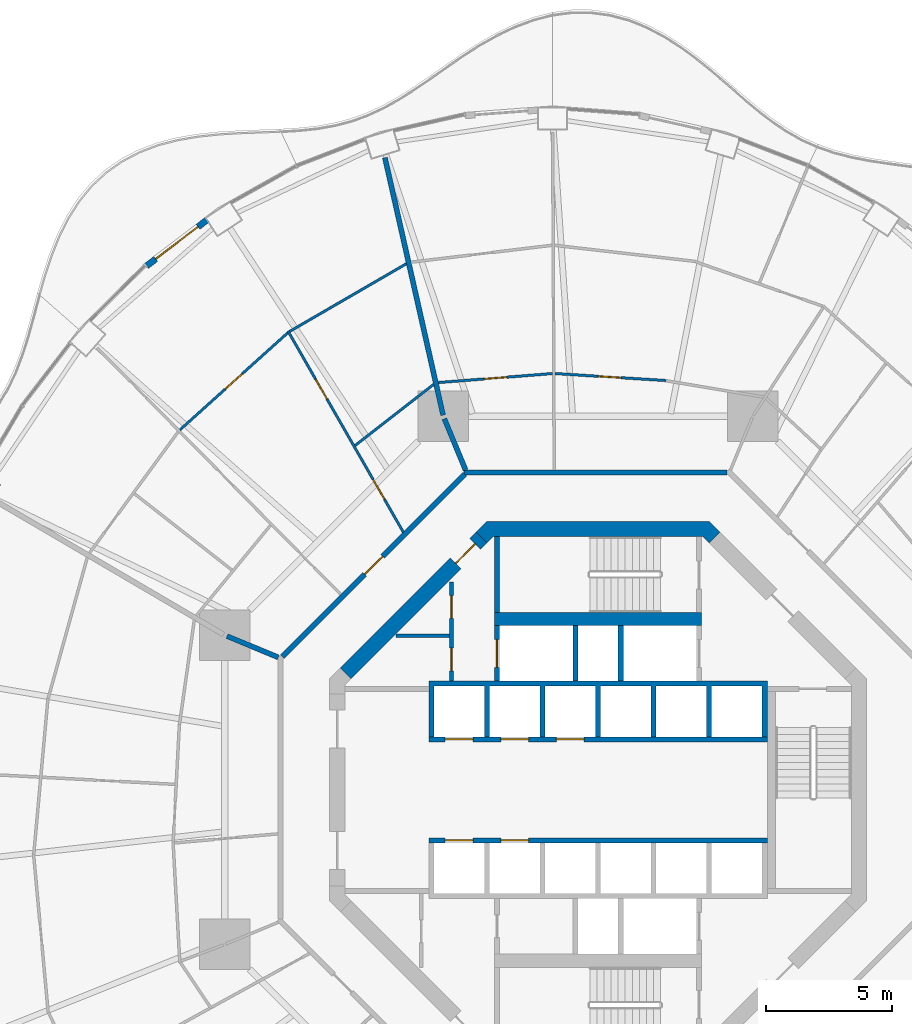
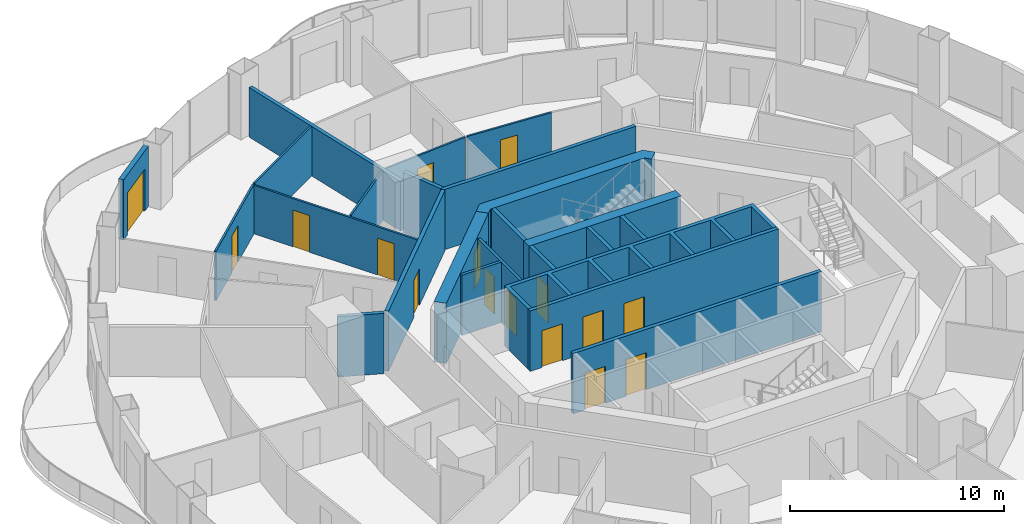
# One storey, part 16 of 21: 24 walls, 16 doors, 16 openings.
"""IFC4 building model written with IfcOpenShell, lengths in metres."""

import ifcopenshell
import ifcopenshell.guid

model = None  # the IFC model being written
_history = None  # IfcOwnerHistory: only IFC2X3 demands one
_inside = {}  # id of a spatial element -> (the spatial element, [elements in it])
_under = {}  # id of a project, library or spatial element -> (it, [spatial elements below it])
_declared = {}  # id of a project -> (the project, [libraries it declares])
_typed = {}  # id of a type object -> (the type object, [elements of that type])
_made_of = {}  # id of a material, layer set ... -> (it, [elements and type objects made of it])


def new_model(schema):
    """Start an empty IFC model of exactly this schema.

    Asked for "IFC4X3", IfcOpenShell would pick the latest addendum, in which some entities
    have other attributes; the version numbers below select the first issue.
    IFC2X3 requires an IfcOwnerHistory on every rooted entity: one is made here for all.
    """
    global model, _history
    if schema == "IFC4X3":
        model = ifcopenshell.file(schema_version=(4, 3, 0, 0))
    else:
        model = ifcopenshell.file(schema=schema)
    _inside.clear()
    _under.clear()
    _declared.clear()
    _typed.clear()
    _made_of.clear()
    _history = None
    if model.schema == "IFC2X3":
        org = make("IfcOrganization", Name="unknown")
        user = make(
            "IfcPersonAndOrganization",
            ThePerson=make("IfcPerson", FamilyName="unknown"),
            TheOrganization=org,
        )
        app = make(
            "IfcApplication",
            ApplicationDeveloper=org,
            Version="unknown",
            ApplicationFullName="unknown",
            ApplicationIdentifier="unknown",
        )
        _history = make(
            "IfcOwnerHistory",
            OwningUser=user,
            OwningApplication=app,
            ChangeAction="ADDED",
            CreationDate=0,
        )
    return model


def make(cls, **values):
    """One entity of the class cls with the attributes given. An attribute that is None is left unset."""
    return model.create_entity(
        cls, **{name: value for name, value in values.items() if value is not None}
    )


def rooted(cls, **values):
    """An entity with a GlobalId (a new one), such as an element, a storey or a relation."""
    return make(cls, GlobalId=ifcopenshell.guid.new(), OwnerHistory=_history, **values)


def si_unit(unit_type, name, prefix=None):
    """IfcSIUnit, for example si_unit("LENGTHUNIT", "METRE", prefix="MILLI")."""
    return make("IfcSIUnit", UnitType=unit_type, Prefix=prefix, Name=name)


def assignment(units):
    """IfcUnitAssignment: the units of a project."""
    return None if units is None else make("IfcUnitAssignment", Units=units)


def point(xyz):
    """IfcCartesianPoint."""
    return None if xyz is None else make("IfcCartesianPoint", Coordinates=xyz)


def direction(xyz):
    """IfcDirection."""
    return None if xyz is None else make("IfcDirection", DirectionRatios=xyz)


def frame(location, z_axis=None, x_axis=None):
    """IfcAxis2Placement3D, a coordinate frame: its origin and axes. An axis left out is left unset."""
    return make(
        "IfcAxis2Placement3D",
        Location=point(location),
        Axis=direction(z_axis),
        RefDirection=direction(x_axis),
    )


def frame_2d(location, x_axis=None):
    """IfcAxis2Placement2D, a coordinate frame in the plane: its origin and x axis."""
    return make(
        "IfcAxis2Placement2D", Location=point(location), RefDirection=direction(x_axis)
    )


def origin():
    """The frame at (0, 0, 0) with its axes left unset."""
    return frame((0.0, 0.0, 0.0))


def place(relative_to, where):
    """IfcLocalPlacement: puts the frame where relative to a parent placement (None: the world)."""
    return make(
        "IfcLocalPlacement", PlacementRelTo=relative_to, RelativePlacement=where
    )


def context(
    kind, dimensions, precision=None, world=None, true_north=None, identifier=None
):
    """IfcGeometricRepresentationContext, for example the 3D "Model" context."""
    return make(
        "IfcGeometricRepresentationContext",
        ContextIdentifier=identifier,
        ContextType=kind,
        CoordinateSpaceDimension=dimensions,
        Precision=precision,
        WorldCoordinateSystem=world,
        TrueNorth=true_north,
    )


def subcontext(parent, identifier, kind, view, scale=None):
    """IfcGeometricRepresentationSubContext, for example "Body" below "Model"."""
    return make(
        "IfcGeometricRepresentationSubContext",
        ContextIdentifier=identifier,
        ContextType=kind,
        ParentContext=parent,
        TargetScale=scale,
        TargetView=view,
    )


def project(units=None, contexts=None):
    """IfcProject with its units and contexts."""
    return rooted(
        "IfcProject",
        Name="project",
        RepresentationContexts=contexts,
        UnitsInContext=assignment(units),
    )


def spatial(cls, under=None, at=None, **own):
    """A site, building, storey or space (cls), placed at a placement, below another one or the project."""
    s = rooted(cls, ObjectPlacement=at, **own)
    if under is not None:
        _under.setdefault(under.id(), (under, []))[1].append(s)
    return s


def polyline(points):
    """IfcPolyline through the points."""
    return make("IfcPolyline", Points=[point(p) for p in points])


def profile(cls, at=None, kind="AREA", **sizes):
    """A parametric profile (cls). Its sizes go by their IFC names, for example OverallWidth=200.0."""
    return make(cls, ProfileType=kind, Position=at, **sizes)


def rectangle(**sizes):
    """IfcRectangleProfileDef."""
    return profile("IfcRectangleProfileDef", **sizes)


def outline(outer, holes=None, kind="AREA"):
    """IfcArbitraryClosedProfileDef: a profile drawn as a closed curve; with holes, ...WithVoids."""
    if holes is None:
        return make("IfcArbitraryClosedProfileDef", ProfileType=kind, OuterCurve=outer)
    return make(
        "IfcArbitraryProfileDefWithVoids",
        ProfileType=kind,
        OuterCurve=outer,
        InnerCurves=holes,
    )


def extrude(swept, where, along, depth):
    """IfcExtrudedAreaSolid: the profile swept, set in the frame where, extruded along a direction by depth."""
    return make(
        "IfcExtrudedAreaSolid",
        SweptArea=swept,
        Position=where,
        ExtrudedDirection=direction(along),
        Depth=depth,
    )


def shape(context_of_items, identifier, shape_type, items):
    """IfcShapeRepresentation: the items that make up one representation, for example the "Body"."""
    return make(
        "IfcShapeRepresentation",
        ContextOfItems=context_of_items,
        RepresentationIdentifier=identifier,
        RepresentationType=shape_type,
        Items=items,
    )


def material(Name=None, Category=None):
    """IfcMaterial."""
    return make("IfcMaterial", Name=Name, Category=Category)


def layer(
    of_material, thickness, ventilated=None, Name=None, Category=None, Priority=None
):
    """IfcMaterialLayer: one layer of a wall or slab, of a material (None: an air gap)."""
    return make(
        "IfcMaterialLayer",
        Material=of_material,
        LayerThickness=thickness,
        IsVentilated=ventilated,
        Name=Name,
        Category=Category,
        Priority=Priority,
    )


def layer_set(layers, Name=None):
    """IfcMaterialLayerSet."""
    return make("IfcMaterialLayerSet", MaterialLayers=layers, LayerSetName=Name)


def made_of(thing, what):
    """Note that an element or type object is made of a material, layer set ...; save() writes the relation."""
    if what is not None:
        _made_of.setdefault(what.id(), (what, []))[1].append(thing)
    return thing


def type_object(cls, material=None, **own):
    """A type object (cls), such as IfcWallType, which elements share."""
    return made_of(rooted(cls, **own), material)


def element(
    cls,
    number,
    at=None,
    inside=None,
    cuts=None,
    type_object=None,
    material=None,
    context=None,
    identifier="Body",
    shape_type=None,
    held_by="IfcProductDefinitionShape",
    body=None,
    shapes=None,
    **own,
):
    """One element of the class cls, such as IfcWall. Its Tag is "e" and its number.

    at: its placement. inside: the storey or other place that contains it. cuts: it is an
    opening in that element (IfcRelVoidsElement). A single representation is given by context,
    identifier, shape_type and body (its items); several are given by shapes. held_by: the class
    of the entity that holds the representations. save() writes the other relations.
    """
    e = rooted(cls, Tag="e%d" % number, ObjectPlacement=at, **own)
    if body is not None:
        shapes = [shape(context, identifier, shape_type, body)]
    if shapes is not None:
        e.Representation = make(held_by, Representations=shapes)
    if inside is not None:
        _inside.setdefault(inside.id(), (inside, []))[1].append(e)
    if cuts is not None:
        rooted(
            "IfcRelVoidsElement", RelatingBuildingElement=cuts, RelatedOpeningElement=e
        )
    if type_object is not None:
        _typed.setdefault(type_object.id(), (type_object, []))[1].append(e)
    return made_of(e, material)


def fill(opening, filler):
    """IfcRelFillsElement: the door or window that sits in an opening."""
    return rooted(
        "IfcRelFillsElement",
        RelatingOpeningElement=opening,
        RelatedBuildingElement=filler,
    )


def aggregate(whole, parts):
    """IfcRelAggregates: a whole, such as a stair, and the parts it consists of."""
    return rooted("IfcRelAggregates", RelatingObject=whole, RelatedObjects=parts)


def save(model, path):
    """Write the relations noted so far, then the file.

    IfcRelAggregates (storeys below a building ...), IfcRelContainedInSpatialStructure (elements
    in a storey), IfcRelDefinesByType, IfcRelAssociatesMaterial and IfcRelDeclares: one each for
    every whole, place, type object, material and project.
    """
    for whole, parts in _under.values():
        aggregate(whole, parts)
    for where, things in _inside.values():
        rooted(
            "IfcRelContainedInSpatialStructure",
            RelatedElements=things,
            RelatingStructure=where,
        )
    for kind, things in _typed.values():
        rooted("IfcRelDefinesByType", RelatedObjects=things, RelatingType=kind)
    for what, things in _made_of.values():
        rooted("IfcRelAssociatesMaterial", RelatedObjects=things, RelatingMaterial=what)
    for by, libraries in _declared.values():
        rooted("IfcRelDeclares", RelatingContext=by, RelatedDefinitions=libraries)
    model.write(path)


model = new_model("IFC4")

# Units and contexts
model_context = context("Model", 3, precision=1e-05, world=origin(), true_north=direction((0.0, 1.0)))
body_context = subcontext(model_context, "Body", "Model", "MODEL_VIEW")
ifc_project = project(units=[si_unit("LENGTHUNIT", "METRE"), si_unit("AREAUNIT", "SQUARE_METRE"), si_unit("VOLUMEUNIT", "CUBIC_METRE"), si_unit("PLANEANGLEUNIT", "RADIAN"), si_unit("MASSUNIT", "GRAM", prefix="KILO")], contexts=[model_context])

# Site, building, storey
site_placement = place(None, origin())
site = spatial("IfcSite", under=ifc_project, at=site_placement, CompositionType="ELEMENT")
building_placement = place(site_placement, origin())
building = spatial("IfcBuilding", under=site, at=building_placement, Name="Nagisa Residences", CompositionType="ELEMENT")
storey_placement = place(building_placement, frame((0.0, 0.0, 138.10009765625)))
storey = spatial("IfcBuildingStorey", under=building, at=storey_placement, Name="L34", CompositionType="ELEMENT", Elevation=138.10009765625)

# Walls
ifc_material_1 = material(Name="Gypsum board on steel studs", Category="steel")
ifc_layer_1 = layer(ifc_material_1, 0.199951171875)
ifc_layer_set_1 = layer_set([ifc_layer_1], Name="Apartment compartment wall EI60 200")
wall_type_1 = type_object("IfcWallType", Name="Apartment compartment wall EI60 200", PredefinedType="PARTITIONING", material=ifc_layer_set_1)
wall_1_placement = place(storey_placement, frame((-5.24267578125, 12.6572265625, 0.0), z_axis=(0.0, 0.0, 1.0), x_axis=(-0.38273085373, 0.923859888513, 0.0)))
element("IfcWall", 1, at=wall_1_placement, inside=storey, type_object=wall_type_1, Name="wall:L34:u00", PredefinedType="PARTITIONING", context=body_context, shape_type="SweptSolid", body=[
    extrude(rectangle(XDim=2.199462890625, YDim=0.199951171875, at=frame_2d((1.099609375, 0.0))), origin(), (0.0, 0.0, 1.0), 3.43994140625),
])
wall_2_placement = place(storey_placement, frame((-6.1337890625, 14.830810546875, 0.0), z_axis=(0.0, 0.0, 1.0), x_axis=(-0.220337590808, 0.975423675167, 0.0)))
element("IfcWall", 2, at=wall_2_placement, inside=storey, type_object=wall_type_1, Name="wall:L34:u01", PredefinedType="PARTITIONING", context=body_context, shape_type="SweptSolid", body=[
    extrude(rectangle(XDim=10.450927734375, YDim=0.199951171875, at=frame_2d((5.2255859375, 0.0))), origin(), (0.0, 0.0, 1.0), 2.827880859375),
])
wall_3_placement = place(storey_placement, frame((-12.6572265625, 5.24267578125, 0.0), z_axis=(0.0, 0.0, 1.0), x_axis=(-0.923869415315, 0.382707856524, 0.0)))
element("IfcWall", 3, at=wall_3_placement, inside=storey, type_object=wall_type_1, Name="wall:L34:u02", PredefinedType="PARTITIONING", context=body_context, shape_type="SweptSolid", body=[
    extrude(rectangle(XDim=2.2001953125, YDim=0.199951171875, at=frame_2d((1.10009765625, 0.0))), origin(), (0.0, 0.0, 1.0), 3.43994140625),
])
ifc_material_2 = material(Name="Gypsum board on steel studs", Category="steel")
ifc_layer_2 = layer(ifc_material_2, 0.199951171875)
ifc_layer_set_2 = layer_set([ifc_layer_2], Name="Apartment entry wall EI60 200")
wall_type_2 = type_object("IfcWallType", Name="Apartment entry wall EI60 200", PredefinedType="PARTITIONING", material=ifc_layer_set_2)
wall_4_placement = place(storey_placement, frame((5.1044921875, 12.564697265625, 0.0), z_axis=(0.0, 0.0, 1.0), x_axis=(-1.0, 0.0, 0.0)))
element("IfcWall", 4, at=wall_4_placement, inside=storey, type_object=wall_type_2, Name="wall:L34:u10", PredefinedType="PARTITIONING", context=body_context, shape_type="SweptSolid", body=[
    extrude(rectangle(XDim=10.408935546875, YDim=0.199951171875, at=frame_2d((5.20458984375, 0.0))), origin(), (0.0, 0.0, 1.0), 3.43994140625),
])

# Wall, opening, door
wall_5_placement = place(storey_placement, frame((-5.275146484375, 12.494140625, 0.0), z_axis=(0.0, 0.0, 1.0), x_axis=(-0.707106781187, -0.707106781187, 0.0)))
wall_5 = element("IfcWall", 5, at=wall_5_placement, inside=storey, type_object=wall_type_2, Name="wall:L34:u11", PredefinedType="PARTITIONING", context=body_context, shape_type="SweptSolid", body=[
    extrude(rectangle(XDim=10.209228515625, YDim=0.199951171875, at=frame_2d((5.1044921875, 0.0))), origin(), (0.0, 0.0, 1.0), 3.43994140625),
])
opening_1_placement = place(wall_5_placement, frame((4.6044921875, 0.0, 0.0)))
opening_1 = element("IfcOpeningElement", 6, at=opening_1_placement, cuts=wall_5, Name="Opening L34-U45", PredefinedType="OPENING", context=body_context, shape_type="SweptSolid", body=[
    extrude(rectangle(XDim=1.0, YDim=2.10009765625, at=frame_2d((0.5, 1.050048828125))), frame((0.0, 0.10986328125, 0.0), z_axis=(0.0, -1.0, 0.0), x_axis=(1.0, 0.0, 0.0)), (0.0, 0.0, 1.0), 0.219970703125),
])
ifc_material_3 = material(Name="Timber fire door set", Category="wood")
door_type_1 = type_object("IfcDoorType", Name="Apartment entry door FD30S 1000x2100", OperationType="NOTDEFINED", PredefinedType="DOOR", material=ifc_material_3)
door_1_placement = place(opening_1_placement, frame((1.0, 0.0, 0.0), x_axis=(-1.0, 0.0, 0.0)))
door_1 = element("IfcDoor", 7, at=door_1_placement, inside=storey, type_object=door_type_1, Name="Entry door, Apartment 34D", OperationType="SINGLE_SWING_RIGHT", OverallHeight=2.10009765625, OverallWidth=1.0, PredefinedType="DOOR", context=body_context, shape_type="SweptSolid", body=[
    extrude(rectangle(XDim=1.0, YDim=2.10009765625, at=frame_2d((0.5, 1.050048828125))), frame((0.0, 0.02490234375, 0.0), z_axis=(0.0, -1.0, 0.0), x_axis=(1.0, 0.0, 0.0)), (0.0, 0.0, 1.0), 0.050048828125),
])
fill(opening_1, door_1)

ifc_material_4 = material(Name="Gypsum board on steel studs", Category="steel")
ifc_layer_3 = layer(ifc_material_4, 0.10009765625)
ifc_layer_set_3 = layer_set([ifc_layer_3], Name="Apartment partition 100")
wall_type_3 = type_object("IfcWallType", Name="Apartment partition 100", PredefinedType="PARTITIONING", material=ifc_layer_set_3)
wall_6_placement = place(storey_placement, frame((2.6845703125, 16.2021484375, 0.0), z_axis=(0.0, 0.0, 1.0), x_axis=(-0.998000808042, 0.063201164138, 0.0)))
wall_6 = element("IfcWall", 8, at=wall_6_placement, inside=storey, type_object=wall_type_3, Name="wall:L34:u37", PredefinedType="PARTITIONING", context=body_context, shape_type="SweptSolid", body=[
    extrude(rectangle(XDim=4.39599609375, YDim=0.10009765625, at=frame_2d((2.197998046875, 0.0))), origin(), (0.0, 0.0, 1.0), 2.827880859375),
])
opening_2_placement = place(wall_6_placement, frame((1.77294921875, 0.0, 0.0)))
opening_2 = element("IfcOpeningElement", 9, at=opening_2_placement, cuts=wall_6, Name="Opening L34-U43", PredefinedType="OPENING", context=body_context, shape_type="SweptSolid", body=[
    extrude(rectangle(XDim=0.89990234375, YDim=2.10009765625, at=frame_2d((0.449951171875, 1.050048828125))), frame((0.0, 0.06005859375, 0.0), z_axis=(0.0, -1.0, 0.0), x_axis=(1.0, 0.0, 0.0)), (0.0, 0.0, 1.0), 0.1201171875),
])
ifc_material_5 = material(Name="Timber door set", Category="wood")
door_type_2 = type_object("IfcDoorType", Name="Apartment door 900x2100", OperationType="NOTDEFINED", PredefinedType="DOOR", material=ifc_material_5)
door_2_placement = place(opening_2_placement, origin())
door_2 = element("IfcDoor", 10, at=door_2_placement, inside=storey, type_object=door_type_2, Name="Door to store, Apartment 34C", OperationType="SINGLE_SWING_LEFT", OverallHeight=2.10009765625, OverallWidth=0.89990234375, PredefinedType="DOOR", context=body_context, shape_type="SweptSolid", body=[
    extrude(rectangle(XDim=0.89990234375, YDim=2.10009765625, at=frame_2d((0.449951171875, 1.050048828125))), frame((0.0, 0.02490234375, 0.0), z_axis=(0.0, -1.0, 0.0), x_axis=(1.0, 0.0, 0.0)), (0.0, 0.0, 1.0), 0.050048828125),
])
fill(opening_2, door_2)

wall_7_placement = place(storey_placement, frame((-1.80224609375, 16.479248046875, 0.0), z_axis=(0.0, 0.0, 1.0), x_axis=(-0.996907698294, -0.078581429625, 0.0)))
wall_7 = element("IfcWall", 11, at=wall_7_placement, inside=storey, type_object=wall_type_3, Name="wall:L34:u40", PredefinedType="PARTITIONING", context=body_context, shape_type="SweptSolid", body=[
    extrude(rectangle(XDim=4.535888671875, YDim=0.10009765625, at=frame_2d((2.26806640625, 0.0))), origin(), (0.0, 0.0, 1.0), 2.827880859375),
])
opening_3_placement = place(wall_7_placement, frame((1.818115234375, 0.0, 0.0)))
opening_3 = element("IfcOpeningElement", 12, at=opening_3_placement, cuts=wall_7, Name="Opening L34-U44", PredefinedType="OPENING", context=body_context, shape_type="SweptSolid", body=[
    extrude(rectangle(XDim=0.89990234375, YDim=2.10009765625, at=frame_2d((0.449951171875, 1.050048828125))), frame((0.0, 0.06005859375, 0.0), z_axis=(0.0, -1.0, 0.0), x_axis=(1.0, 0.0, 0.0)), (0.0, 0.0, 1.0), 0.1201171875),
])
door_3_placement = place(opening_3_placement, origin())
door_3 = element("IfcDoor", 13, at=door_3_placement, inside=storey, type_object=door_type_2, Name="Door to laundry, Apartment 34C", OperationType="SINGLE_SWING_RIGHT", OverallHeight=2.10009765625, OverallWidth=0.89990234375, PredefinedType="DOOR", context=body_context, shape_type="SweptSolid", body=[
    extrude(rectangle(XDim=0.89990234375, YDim=2.10009765625, at=frame_2d((0.449951171875, 1.050048828125))), frame((0.0, 0.02490234375, 0.0), z_axis=(0.0, -1.0, 0.0), x_axis=(1.0, 0.0, 0.0)), (0.0, 0.0, 1.0), 0.050048828125),
])
fill(opening_3, door_3)

# Walls
wall_8_placement = place(storey_placement, frame((-6.5029296875, 16.0537109375, 0.0), z_axis=(0.0, 0.0, 1.0), x_axis=(-0.789428807693, -0.613842127574, 0.0)))
element("IfcWall", 14, at=wall_8_placement, inside=storey, type_object=wall_type_3, Name="wall:L34:u42", PredefinedType="PARTITIONING", context=body_context, shape_type="SweptSolid", body=[
    extrude(rectangle(XDim=3.947509765625, YDim=0.10009765625, at=frame_2d((1.9736328125, 0.0))), origin(), (0.0, 0.0, 1.0), 2.827880859375),
])
wall_9_placement = place(storey_placement, frame((-7.586181640625, 20.827392578125, 0.0), z_axis=(0.0, 0.0, 1.0), x_axis=(-0.865093450578, -0.501610727325, 0.0)))
element("IfcWall", 15, at=wall_9_placement, inside=storey, type_object=wall_type_3, Name="wall:L34:u43", PredefinedType="PARTITIONING", context=body_context, shape_type="SweptSolid", body=[
    extrude(rectangle(XDim=5.343017578125, YDim=0.10009765625, at=frame_2d((2.67138671875, 0.0))), origin(), (0.0, 0.0, 1.0), 2.827880859375),
])

# Wall, openings, doors
wall_10_placement = place(storey_placement, frame((-7.707763671875, 10.197998046875, 0.0), z_axis=(0.0, 0.0, 1.0), x_axis=(-0.497449462689, 0.867492957937, 0.0)))
wall_10 = element("IfcWall", 16, at=wall_10_placement, inside=storey, type_object=wall_type_3, Name="wall:L34:u44", PredefinedType="PARTITIONING", context=body_context, shape_type="SweptSolid", body=[
    extrude(rectangle(XDim=9.1845703125, YDim=0.10009765625, at=frame_2d((4.59228515625, 0.0))), origin(), (0.0, 0.0, 1.0), 2.755859375),
])
opening_4_placement = place(wall_10_placement, frame((1.5107421875, 0.0, 0.0)))
opening_4 = element("IfcOpeningElement", 17, at=opening_4_placement, cuts=wall_10, Name="Opening L34-U46", PredefinedType="OPENING", context=body_context, shape_type="SweptSolid", body=[
    extrude(rectangle(XDim=0.89990234375, YDim=2.10009765625, at=frame_2d((0.449951171875, 1.050048828125))), frame((0.0, 0.06005859375, 0.0), z_axis=(0.0, -1.0, 0.0), x_axis=(1.0, 0.0, 0.0)), (0.0, 0.0, 1.0), 0.1201171875),
])
opening_5_placement = place(wall_10_placement, frame((6.077880859375, 0.0, 0.0)))
opening_5 = element("IfcOpeningElement", 18, at=opening_5_placement, cuts=wall_10, Name="Opening L34-U48", PredefinedType="OPENING", context=body_context, shape_type="SweptSolid", body=[
    extrude(rectangle(XDim=0.89990234375, YDim=2.10009765625, at=frame_2d((0.449951171875, 1.050048828125))), frame((0.0, 0.06005859375, 0.0), z_axis=(0.0, -1.0, 0.0), x_axis=(1.0, 0.0, 0.0)), (0.0, 0.0, 1.0), 0.1201171875),
])
door_4_placement = place(opening_4_placement, frame((0.89990234375, 0.0, 0.0), x_axis=(-1.0, 0.0, 0.0)))
door_4 = element("IfcDoor", 19, at=door_4_placement, inside=storey, type_object=door_type_2, Name="Door to laundry, Apartment 34D", OperationType="SINGLE_SWING_LEFT", OverallHeight=2.10009765625, OverallWidth=0.89990234375, PredefinedType="DOOR", context=body_context, shape_type="SweptSolid", body=[
    extrude(rectangle(XDim=0.89990234375, YDim=2.10009765625, at=frame_2d((0.449951171875, 1.050048828125))), frame((0.0, 0.02490234375, 0.0), z_axis=(0.0, -1.0, 0.0), x_axis=(1.0, 0.0, 0.0)), (0.0, 0.0, 1.0), 0.050048828125),
])
fill(opening_4, door_4)
door_5_placement = place(opening_5_placement, frame((0.89990234375, 0.0, 0.0), x_axis=(-1.0, 0.0, 0.0)))
door_5 = element("IfcDoor", 20, at=door_5_placement, inside=storey, type_object=door_type_2, Name="Door to kitchen, Apartment 34D", OperationType="SINGLE_SWING_LEFT", OverallHeight=2.10009765625, OverallWidth=0.89990234375, PredefinedType="DOOR", context=body_context, shape_type="SweptSolid", body=[
    extrude(rectangle(XDim=0.89990234375, YDim=2.10009765625, at=frame_2d((0.449951171875, 1.050048828125))), frame((0.0, 0.02490234375, 0.0), z_axis=(0.0, -1.0, 0.0), x_axis=(1.0, 0.0, 0.0)), (0.0, 0.0, 1.0), 0.050048828125),
])
fill(opening_5, door_5)

# Wall, opening, door
wall_11_placement = place(storey_placement, frame((-12.2890625, 18.088623046875, 0.0), z_axis=(0.0, 0.0, 1.0), x_axis=(-0.743146066164, -0.669129228435, 0.0)))
wall_11 = element("IfcWall", 21, at=wall_11_placement, inside=storey, type_object=wall_type_3, Name="wall:L34:u45", PredefinedType="PARTITIONING", context=body_context, shape_type="SweptSolid", body=[
    extrude(rectangle(XDim=5.7392578125, YDim=0.10009765625, at=frame_2d((2.86962890625, 0.0))), origin(), (0.0, 0.0, 1.0), 2.827880859375),
])
opening_6_placement = place(wall_11_placement, frame((2.419677734375, 0.0, 0.0)))
opening_6 = element("IfcOpeningElement", 22, at=opening_6_placement, cuts=wall_11, Name="Opening L34-U50", PredefinedType="OPENING", context=body_context, shape_type="SweptSolid", body=[
    extrude(rectangle(XDim=0.89990234375, YDim=2.10009765625, at=frame_2d((0.449951171875, 1.050048828125))), frame((0.0, 0.06005859375, 0.0), z_axis=(0.0, -1.0, 0.0), x_axis=(1.0, 0.0, 0.0)), (0.0, 0.0, 1.0), 0.1201171875),
])
door_6_placement = place(opening_6_placement, frame((0.89990234375, 0.0, 0.0), x_axis=(-1.0, 0.0, 0.0)))
door_6 = element("IfcDoor", 23, at=door_6_placement, inside=storey, type_object=door_type_2, Name="Door to family room, Apartment 34D", OperationType="SINGLE_SWING_LEFT", OverallHeight=2.10009765625, OverallWidth=0.89990234375, PredefinedType="DOOR", context=body_context, shape_type="SweptSolid", body=[
    extrude(rectangle(XDim=0.89990234375, YDim=2.10009765625, at=frame_2d((0.449951171875, 1.050048828125))), frame((0.0, 0.02490234375, 0.0), z_axis=(0.0, -1.0, 0.0), x_axis=(1.0, 0.0, 0.0)), (0.0, 0.0, 1.0), 0.050048828125),
])
fill(opening_6, door_6)

ifc_material_6 = material(Name="Precast concrete C40/50", Category="concrete")
ifc_layer_4 = layer(ifc_material_6, 0.25)
ifc_layer_set_4 = layer_set([ifc_layer_4], Name="BALCONY DOOR WALL 250")
wall_type_4 = type_object("IfcWallType", Name="BALCONY DOOR WALL 250", PredefinedType="SOLIDWALL", material=ifc_layer_set_4)
wall_12_placement = place(storey_placement, frame((-17.8779296875, 20.738037109375, 0.0), z_axis=(0.0, 0.0, 1.0), x_axis=(0.796022231079, 0.605267385233, 0.0)))
wall_12 = element("IfcWall", 24, at=wall_12_placement, inside=storey, type_object=wall_type_4, Name="wall:L34:bay16", PredefinedType="SOLIDWALL", context=body_context, shape_type="SweptSolid", body=[
    extrude(rectangle(XDim=3.025634765625, YDim=0.25, at=frame_2d((1.5126953125, 0.0))), origin(), (0.0, 0.0, 1.0), 3.43994140625),
])
opening_7_placement = place(wall_12_placement, frame((0.462646484375, 0.0, 0.0)))
opening_7 = element("IfcOpeningElement", 25, at=opening_7_placement, cuts=wall_12, Name="Opening BD-L34-06", PredefinedType="OPENING", context=body_context, shape_type="SweptSolid", body=[
    extrude(rectangle(XDim=2.10009765625, YDim=2.39990234375, at=frame_2d((1.050048828125, 1.199951171875))), frame((0.0, 0.135009765625, 0.0), z_axis=(0.0, -1.0, 0.0), x_axis=(1.0, 0.0, 0.0)), (0.0, 0.0, 1.0), 0.27001953125),
])
ifc_material_7 = material(Name="Aluminium and clear glass", Category="aluminium")
door_type_3 = type_object("IfcDoorType", Name="BALCONY SLIDING DOOR 2100x2400", OperationType="SLIDING_TO_LEFT", PredefinedType="DOOR", material=ifc_material_7)
door_7_placement = place(opening_7_placement, origin())
door_7 = element("IfcDoor", 26, at=door_7_placement, inside=storey, type_object=door_type_3, Name="door:L34:bay16", OperationType="SLIDING_TO_LEFT", OverallHeight=2.39990234375, OverallWidth=2.10009765625, PredefinedType="DOOR", context=body_context, shape_type="SweptSolid", body=[
    extrude(rectangle(XDim=2.10009765625, YDim=2.39990234375, at=frame_2d((1.050048828125, 1.199951171875))), frame((0.0, 0.02490234375, 0.0), z_axis=(0.0, -1.0, 0.0), x_axis=(1.0, 0.0, 0.0)), (0.0, 0.0, 1.0), 0.050048828125),
])
fill(opening_7, door_7)

# Wall, openings, doors
ifc_material_8 = material(Name="Gypsum board on steel studs", Category="steel")
ifc_layer_5 = layer(ifc_material_8, 0.14990234375)
ifc_layer_set_5 = layer_set([ifc_layer_5], Name="Core partition 150")
wall_type_5 = type_object("IfcWallType", Name="Core partition 150", PredefinedType="PARTITIONING", material=ifc_layer_set_5)
wall_13_placement = place(storey_placement, frame((-5.800048828125, 4.300048828125, 0.0), z_axis=(0.0, 0.0, 1.0), x_axis=(0.0, 1.0, 0.0)))
wall_13 = element("IfcWall", 27, at=wall_13_placement, inside=storey, type_object=wall_type_5, Name="wall:L34:NWp", PredefinedType="PARTITIONING", context=body_context, shape_type="SweptSolid", body=[
    extrude(rectangle(XDim=3.927001953125, YDim=0.14990234375, at=frame_2d((1.96337890625, 0.0))), origin(), (0.0, 0.0, 1.0), 3.43994140625),
])
opening_8_placement = place(wall_13_placement, frame((0.41259765625, 0.0, 0.0)))
opening_8 = element("IfcOpeningElement", 28, at=opening_8_placement, cuts=wall_13, Name="Opening L34-C12", PredefinedType="OPENING", context=body_context, shape_type="SweptSolid", body=[
    extrude(rectangle(XDim=0.89990234375, YDim=2.10009765625, at=frame_2d((0.449951171875, 1.050048828125))), frame((0.0, 0.0849609375, 0.0), z_axis=(0.0, -1.0, 0.0), x_axis=(1.0, 0.0, 0.0)), (0.0, 0.0, 1.0), 0.169921875),
])
opening_9_placement = place(wall_13_placement, frame((2.488525390625, 0.0, 0.0)))
opening_9 = element("IfcOpeningElement", 29, at=opening_9_placement, cuts=wall_13, Name="Opening L34-C13", PredefinedType="OPENING", context=body_context, shape_type="SweptSolid", body=[
    extrude(rectangle(XDim=0.89990234375, YDim=2.10009765625, at=frame_2d((0.449951171875, 1.050048828125))), frame((0.0, 0.0849609375, 0.0), z_axis=(0.0, -1.0, 0.0), x_axis=(1.0, 0.0, 0.0)), (0.0, 0.0, 1.0), 0.169921875),
])
ifc_material_9 = material(Name="Steel fire door", Category="steel")
door_type_4 = type_object("IfcDoorType", Name="Fire door EI30 900x2100 single swing", OperationType="NOTDEFINED", PredefinedType="DOOR", material=ifc_material_9)
door_8_placement = place(opening_8_placement, origin())
door_8 = element("IfcDoor", 30, at=door_8_placement, inside=storey, type_object=door_type_4, Name="Linen store door L34", OperationType="SINGLE_SWING_LEFT", OverallHeight=2.10009765625, OverallWidth=0.89990234375, PredefinedType="DOOR", context=body_context, shape_type="SweptSolid", body=[
    extrude(rectangle(XDim=0.89990234375, YDim=2.10009765625, at=frame_2d((0.449951171875, 1.050048828125))), frame((0.0, 0.02490234375, 0.0), z_axis=(0.0, -1.0, 0.0), x_axis=(1.0, 0.0, 0.0)), (0.0, 0.0, 1.0), 0.050048828125),
])
fill(opening_8, door_8)
door_9_placement = place(opening_9_placement, origin())
door_9 = element("IfcDoor", 31, at=door_9_placement, inside=storey, type_object=door_type_4, Name="Refuse room door L34", OperationType="SINGLE_SWING_LEFT", OverallHeight=2.10009765625, OverallWidth=0.89990234375, PredefinedType="DOOR", context=body_context, shape_type="SweptSolid", body=[
    extrude(rectangle(XDim=0.89990234375, YDim=2.10009765625, at=frame_2d((0.449951171875, 1.050048828125))), frame((0.0, 0.02490234375, 0.0), z_axis=(0.0, -1.0, 0.0), x_axis=(1.0, 0.0, 0.0)), (0.0, 0.0, 1.0), 0.050048828125),
])
fill(opening_9, door_9)

# Wall
wall_14_placement = place(storey_placement, frame((-8.0009765625, 6.10009765625, 0.0), z_axis=(0.0, 0.0, 1.0), x_axis=(1.0, 0.0, 0.0)))
element("IfcWall", 32, at=wall_14_placement, inside=storey, type_object=wall_type_5, Name="wall:L34:NWq", PredefinedType="PARTITIONING", context=body_context, shape_type="SweptSolid", body=[
    extrude(rectangle(XDim=2.1259765625, YDim=0.14990234375, at=frame_2d((1.06298828125, 0.0))), origin(), (0.0, 0.0, 1.0), 3.43994140625),
])

# Wall, opening, door
ifc_material_10 = material(Name="Concrete C60", Category="concrete")
ifc_layer_6 = layer(ifc_material_10, 0.60009765625)
ifc_layer_set_6 = layer_set([ifc_layer_6], Name="Core shear wall 600")
wall_type_6 = type_object("IfcWallType", Name="Core shear wall 600", PredefinedType="SHEAR", material=ifc_layer_set_6)
wall_15_placement = place(storey_placement, frame((-4.613037109375, 9.98828125, 0.0), z_axis=(0.0, 0.0, 1.0), x_axis=(-0.707106781187, -0.707106781187, 0.0)))
wall_15 = element("IfcWall", 33, at=wall_15_placement, inside=storey, type_object=wall_type_6, Name="wall:L34:core:flat3", PredefinedType="SHEAR", context=body_context, shape_type="SweptSolid", body=[
    extrude(rectangle(XDim=7.601806640625, YDim=0.60009765625, at=frame_2d((3.80078125, 0.0))), origin(), (0.0, 0.0, 1.0), 3.43994140625),
])
opening_10_placement = place(wall_15_placement, frame((0.350830078125, 0.0, 0.0)))
opening_10 = element("IfcOpeningElement", 34, at=opening_10_placement, cuts=wall_15, Name="Opening L34-C20", PredefinedType="OPENING", context=body_context, shape_type="SweptSolid", body=[
    extrude(rectangle(XDim=1.10009765625, YDim=2.10009765625, at=frame_2d((0.550048828125, 1.050048828125))), frame((0.0, 0.31005859375, 0.0), z_axis=(0.0, -1.0, 0.0), x_axis=(1.0, 0.0, 0.0)), (0.0, 0.0, 1.0), 0.6201171875),
])
ifc_material_11 = material(Name="Steel fire door", Category="steel")
door_type_5 = type_object("IfcDoorType", Name="Fire door EI60 1100x2100 single swing", OperationType="NOTDEFINED", PredefinedType="DOOR", material=ifc_material_11)
door_10_placement = place(opening_10_placement, origin())
door_10 = element("IfcDoor", 35, at=door_10_placement, inside=storey, type_object=door_type_5, Name="Service lobby door L34", OperationType="SINGLE_SWING_RIGHT", OverallHeight=2.10009765625, OverallWidth=1.10009765625, PredefinedType="DOOR", context=body_context, shape_type="SweptSolid", body=[
    extrude(rectangle(XDim=1.10009765625, YDim=2.10009765625, at=frame_2d((0.550048828125, 1.050048828125))), frame((0.0, 0.02490234375, 0.0), z_axis=(0.0, -1.0, 0.0), x_axis=(1.0, 0.0, 0.0)), (0.0, 0.0, 1.0), 0.050048828125),
])
fill(opening_10, door_10)

# Wall
wall_16_placement = place(storey_placement, origin())
element("IfcWall", 36, at=wall_16_placement, inside=storey, type_object=wall_type_6, Name="wall:L34:core:flat2", PredefinedType="SHEAR", context=body_context, shape_type="SweptSolid", body=[
    extrude(outline(polyline([(-4.15234375, 10.024658203125), (-4.40087890625, 9.776123046875), (-4.8251953125, 10.200439453125), (-4.40087890625, 10.62451171875), (4.40087890625, 10.62451171875), (4.8251953125, 10.200439453125), (4.40087890625, 9.776123046875), (4.15234375, 10.024658203125), (-4.15234375, 10.024658203125)])), origin(), (0.0, 0.0, 1.0), 3.43994140625),
])

# Wall, opening, door
ifc_material_12 = material(Name="Concrete C60", Category="concrete")
ifc_layer_7 = layer(ifc_material_12, 0.199951171875)
ifc_layer_set_7 = layer_set([ifc_layer_7], Name="Lift shaft wall 200")
wall_type_7 = type_object("IfcWallType", Name="Lift shaft wall 200", PredefinedType="SOLIDWALL", material=ifc_layer_set_7)
wall_17_placement = place(storey_placement, frame((-4.0, 4.300048828125, 0.0), z_axis=(0.0, 0.0, 1.0), x_axis=(0.0, 1.0, 0.0)))
wall_17 = element("IfcWall", 37, at=wall_17_placement, inside=storey, type_object=wall_type_7, Name="wall:L34:Nb4", PredefinedType="SOLIDWALL", context=body_context, shape_type="SweptSolid", body=[
    extrude(rectangle(XDim=2.199951171875, YDim=0.199951171875, at=frame_2d((1.10009765625, 0.0))), origin(), (0.0, 0.0, 1.0), 3.43994140625),
])
opening_11_placement = place(wall_17_placement, frame((0.550048828125, 0.0, 0.0)))
opening_11 = element("IfcOpeningElement", 38, at=opening_11_placement, cuts=wall_17, Name="Opening L34-C08", PredefinedType="OPENING", context=body_context, shape_type="SweptSolid", body=[
    extrude(rectangle(XDim=1.10009765625, YDim=2.10009765625, at=frame_2d((0.550048828125, 1.050048828125))), frame((0.0, 0.10986328125, 0.0), z_axis=(0.0, -1.0, 0.0), x_axis=(1.0, 0.0, 0.0)), (0.0, 0.0, 1.0), 0.219970703125),
])
ifc_material_13 = material(Name="Stainless steel", Category="steel")
door_type_6 = type_object("IfcDoorType", Name="Lift landing door 1100x2100", OperationType="DOUBLE_DOOR_SLIDING", PredefinedType="DOOR", material=ifc_material_13)
door_11_placement = place(opening_11_placement, origin())
door_11 = element("IfcDoor", 39, at=door_11_placement, inside=storey, type_object=door_type_6, Name="Landing door SV L34", OperationType="DOUBLE_DOOR_SLIDING", OverallHeight=2.10009765625, OverallWidth=1.10009765625, PredefinedType="DOOR", context=body_context, shape_type="SweptSolid", body=[
    extrude(rectangle(XDim=1.10009765625, YDim=2.10009765625, at=frame_2d((0.550048828125, 1.050048828125))), frame((0.0, 0.02490234375, 0.0), z_axis=(0.0, -1.0, 0.0), x_axis=(1.0, 0.0, 0.0)), (0.0, 0.0, 1.0), 0.050048828125),
])
fill(opening_11, door_11)

# Wall, openings, doors
wall_18_placement = place(storey_placement, frame((-6.699951171875, 2.0, 0.0), z_axis=(0.0, 0.0, 1.0), x_axis=(1.0, 0.0, 0.0)))
wall_18 = element("IfcWall", 40, at=wall_18_placement, inside=storey, type_object=wall_type_7, Name="wall:L34:Nfront", PredefinedType="SOLIDWALL", context=body_context, shape_type="SweptSolid", body=[
    extrude(rectangle(XDim=13.39990234375, YDim=0.199951171875, at=frame_2d((6.699951171875, 0.0))), origin(), (0.0, 0.0, 1.0), 3.43994140625),
])
opening_12_placement = place(wall_18_placement, frame((0.64990234375, 0.0, 0.0)))
opening_12 = element("IfcOpeningElement", 41, at=opening_12_placement, cuts=wall_18, Name="Opening L34-C01", PredefinedType="OPENING", context=body_context, shape_type="SweptSolid", body=[
    extrude(rectangle(XDim=1.10009765625, YDim=2.10009765625, at=frame_2d((0.550048828125, 1.050048828125))), frame((0.0, 0.10986328125, 0.0), z_axis=(0.0, -1.0, 0.0), x_axis=(1.0, 0.0, 0.0)), (0.0, 0.0, 1.0), 0.219970703125),
])
opening_13_placement = place(wall_18_placement, frame((2.85009765625, 0.0, 0.0)))
opening_13 = element("IfcOpeningElement", 42, at=opening_13_placement, cuts=wall_18, Name="Opening L34-C02", PredefinedType="OPENING", context=body_context, shape_type="SweptSolid", body=[
    extrude(rectangle(XDim=1.10009765625, YDim=2.10009765625, at=frame_2d((0.550048828125, 1.050048828125))), frame((0.0, 0.10986328125, 0.0), z_axis=(0.0, -1.0, 0.0), x_axis=(1.0, 0.0, 0.0)), (0.0, 0.0, 1.0), 0.219970703125),
])
opening_14_placement = place(wall_18_placement, frame((5.050048828125, 0.0, 0.0)))
opening_14 = element("IfcOpeningElement", 43, at=opening_14_placement, cuts=wall_18, Name="Opening L34-C03", PredefinedType="OPENING", context=body_context, shape_type="SweptSolid", body=[
    extrude(rectangle(XDim=1.10009765625, YDim=2.10009765625, at=frame_2d((0.550048828125, 1.050048828125))), frame((0.0, 0.10986328125, 0.0), z_axis=(0.0, -1.0, 0.0), x_axis=(1.0, 0.0, 0.0)), (0.0, 0.0, 1.0), 0.219970703125),
])
door_12_placement = place(opening_12_placement, origin())
door_12 = element("IfcDoor", 44, at=door_12_placement, inside=storey, type_object=door_type_6, Name="Landing door A1 L34", OperationType="DOUBLE_DOOR_SLIDING", OverallHeight=2.10009765625, OverallWidth=1.10009765625, PredefinedType="DOOR", context=body_context, shape_type="SweptSolid", body=[
    extrude(rectangle(XDim=1.10009765625, YDim=2.10009765625, at=frame_2d((0.550048828125, 1.050048828125))), frame((0.0, 0.02490234375, 0.0), z_axis=(0.0, -1.0, 0.0), x_axis=(1.0, 0.0, 0.0)), (0.0, 0.0, 1.0), 0.050048828125),
])
fill(opening_12, door_12)
door_13_placement = place(opening_13_placement, origin())
door_13 = element("IfcDoor", 45, at=door_13_placement, inside=storey, type_object=door_type_6, Name="Landing door A2 L34", OperationType="DOUBLE_DOOR_SLIDING", OverallHeight=2.10009765625, OverallWidth=1.10009765625, PredefinedType="DOOR", context=body_context, shape_type="SweptSolid", body=[
    extrude(rectangle(XDim=1.10009765625, YDim=2.10009765625, at=frame_2d((0.550048828125, 1.050048828125))), frame((0.0, 0.02490234375, 0.0), z_axis=(0.0, -1.0, 0.0), x_axis=(1.0, 0.0, 0.0)), (0.0, 0.0, 1.0), 0.050048828125),
])
fill(opening_13, door_13)
door_14_placement = place(opening_14_placement, origin())
door_14 = element("IfcDoor", 46, at=door_14_placement, inside=storey, type_object=door_type_6, Name="Landing door A3 L34", OperationType="DOUBLE_DOOR_SLIDING", OverallHeight=2.10009765625, OverallWidth=1.10009765625, PredefinedType="DOOR", context=body_context, shape_type="SweptSolid", body=[
    extrude(rectangle(XDim=1.10009765625, YDim=2.10009765625, at=frame_2d((0.550048828125, 1.050048828125))), frame((0.0, 0.02490234375, 0.0), z_axis=(0.0, -1.0, 0.0), x_axis=(1.0, 0.0, 0.0)), (0.0, 0.0, 1.0), 0.050048828125),
])
fill(opening_14, door_14)

wall_19_placement = place(storey_placement, frame((-6.699951171875, -2.0, 0.0), z_axis=(0.0, 0.0, 1.0), x_axis=(1.0, 0.0, 0.0)))
wall_19 = element("IfcWall", 47, at=wall_19_placement, inside=storey, type_object=wall_type_7, Name="wall:L34:Sfront", PredefinedType="SOLIDWALL", context=body_context, shape_type="SweptSolid", body=[
    extrude(rectangle(XDim=13.39990234375, YDim=0.199951171875, at=frame_2d((6.699951171875, 0.0))), origin(), (0.0, 0.0, 1.0), 3.43994140625),
])
opening_15_placement = place(wall_19_placement, frame((0.64990234375, 0.0, 0.0)))
opening_15 = element("IfcOpeningElement", 48, at=opening_15_placement, cuts=wall_19, Name="Opening L34-C04", PredefinedType="OPENING", context=body_context, shape_type="SweptSolid", body=[
    extrude(rectangle(XDim=1.10009765625, YDim=2.10009765625, at=frame_2d((0.550048828125, 1.050048828125))), frame((0.0, 0.10986328125, 0.0), z_axis=(0.0, -1.0, 0.0), x_axis=(1.0, 0.0, 0.0)), (0.0, 0.0, 1.0), 0.219970703125),
])
opening_16_placement = place(wall_19_placement, frame((2.85009765625, 0.0, 0.0)))
opening_16 = element("IfcOpeningElement", 49, at=opening_16_placement, cuts=wall_19, Name="Opening L34-C05", PredefinedType="OPENING", context=body_context, shape_type="SweptSolid", body=[
    extrude(rectangle(XDim=1.10009765625, YDim=2.10009765625, at=frame_2d((0.550048828125, 1.050048828125))), frame((0.0, 0.10986328125, 0.0), z_axis=(0.0, -1.0, 0.0), x_axis=(1.0, 0.0, 0.0)), (0.0, 0.0, 1.0), 0.219970703125),
])
door_15_placement = place(opening_15_placement, origin())
door_15 = element("IfcDoor", 50, at=door_15_placement, inside=storey, type_object=door_type_6, Name="Landing door A4 L34", OperationType="DOUBLE_DOOR_SLIDING", OverallHeight=2.10009765625, OverallWidth=1.10009765625, PredefinedType="DOOR", context=body_context, shape_type="SweptSolid", body=[
    extrude(rectangle(XDim=1.10009765625, YDim=2.10009765625, at=frame_2d((0.550048828125, 1.050048828125))), frame((0.0, 0.02490234375, 0.0), z_axis=(0.0, -1.0, 0.0), x_axis=(1.0, 0.0, 0.0)), (0.0, 0.0, 1.0), 0.050048828125),
])
fill(opening_15, door_15)
door_16_placement = place(opening_16_placement, origin())
door_16 = element("IfcDoor", 51, at=door_16_placement, inside=storey, type_object=door_type_6, Name="Landing door A5 L34", OperationType="DOUBLE_DOOR_SLIDING", OverallHeight=2.10009765625, OverallWidth=1.10009765625, PredefinedType="DOOR", context=body_context, shape_type="SweptSolid", body=[
    extrude(rectangle(XDim=1.10009765625, YDim=2.10009765625, at=frame_2d((0.550048828125, 1.050048828125))), frame((0.0, 0.02490234375, 0.0), z_axis=(0.0, -1.0, 0.0), x_axis=(1.0, 0.0, 0.0)), (0.0, 0.0, 1.0), 0.050048828125),
])
fill(opening_16, door_16)

# Walls
for number, where, z_axis, x_axis, name in (
    (52, (-0.89990234375, 4.300048828125, 0.0), (0.0, 0.0, 1.0), (0.0, 1.0, 0.0), "wall:L34:Nb1"),
    (53, (0.89990234375, 4.300048828125, 0.0), (0.0, 0.0, 1.0), (0.0, 1.0, 0.0), "wall:L34:Nb2"),
):
    element("IfcWall", number, at=place(storey_placement, frame(where, z_axis=z_axis, x_axis=x_axis)), inside=storey, type_object=wall_type_7, Name=name, PredefinedType="SOLIDWALL", context=body_context, shape_type="SweptSolid", body=[
        extrude(rectangle(XDim=2.199951171875, YDim=0.199951171875, at=frame_2d((1.10009765625, 0.0))), origin(), (0.0, 0.0, 1.0), 3.43994140625),
    ])
wall_20_placement = place(storey_placement, origin())
element("IfcWall", 54, at=wall_20_placement, inside=storey, type_object=wall_type_7, Name="wall:L34:Nback", PredefinedType="SOLIDWALL", context=body_context, shape_type="SweptSolid", body=[
    extrude(outline(polyline([(-6.5, 2.10009765625), (-6.699951171875, 2.10009765625), (-6.699951171875, 4.300048828125), (6.699951171875, 4.300048828125), (6.699951171875, 2.10009765625), (6.5, 2.10009765625), (6.5, 4.10009765625), (4.5, 4.10009765625), (4.5, 2.10009765625), (4.300048828125, 2.10009765625), (4.300048828125, 4.10009765625), (2.300048828125, 4.10009765625), (2.300048828125, 2.10009765625), (2.10009765625, 2.10009765625), (2.10009765625, 4.10009765625), (0.10009765625, 4.10009765625), (0.10009765625, 2.10009765625), (-0.10009765625, 2.10009765625), (-0.10009765625, 4.10009765625), (-2.10009765625, 4.10009765625), (-2.10009765625, 2.10009765625), (-2.300048828125, 2.10009765625), (-2.300048828125, 4.10009765625), (-4.300048828125, 4.10009765625), (-4.300048828125, 2.10009765625), (-4.5, 2.10009765625), (-4.5, 4.10009765625), (-6.5, 4.10009765625), (-6.5, 2.10009765625)])), origin(), (0.0, 0.0, 1.0), 3.43994140625),
])
ifc_material_14 = material(Name="Concrete C60", Category="concrete")
ifc_layer_8 = layer(ifc_material_14, 0.199951171875)
ifc_layer_set_8 = layer_set([ifc_layer_8], Name="Stair enclosure wall 200")
wall_type_8 = type_object("IfcWallType", Name="Stair enclosure wall 200", PredefinedType="SOLIDWALL", material=ifc_layer_set_8)
wall_21_placement = place(storey_placement, origin())
element("IfcWall", 55, at=wall_21_placement, inside=storey, type_object=wall_type_8, Name="wall:L34:SN_w", PredefinedType="SOLIDWALL", context=body_context, shape_type="SweptSolid", body=[
    extrude(outline(polyline([(-3.89990234375, 7.024658203125), (-4.10009765625, 7.024658203125), (-4.10009765625, 10.024658203125), (-3.89990234375, 10.024658203125), (-3.89990234375, 7.024658203125)])), origin(), (0.0, 0.0, 1.0), 3.43994140625),
])
wall_22_placement = place(storey_placement, origin())
element("IfcWall", 56, at=wall_22_placement, inside=storey, type_object=wall_type_8, Name="wall:L34:SN_s", PredefinedType="SOLIDWALL", context=body_context, shape_type="SweptSolid", body=[
    extrude(outline(polyline([(4.10009765625, 6.5), (-4.10009765625, 6.5), (-4.10009765625, 7.024658203125), (4.10009765625, 7.024658203125), (4.10009765625, 6.5)])), origin(), (0.0, 0.0, 1.0), 3.43994140625),
])

save(model, "model.ifc")
